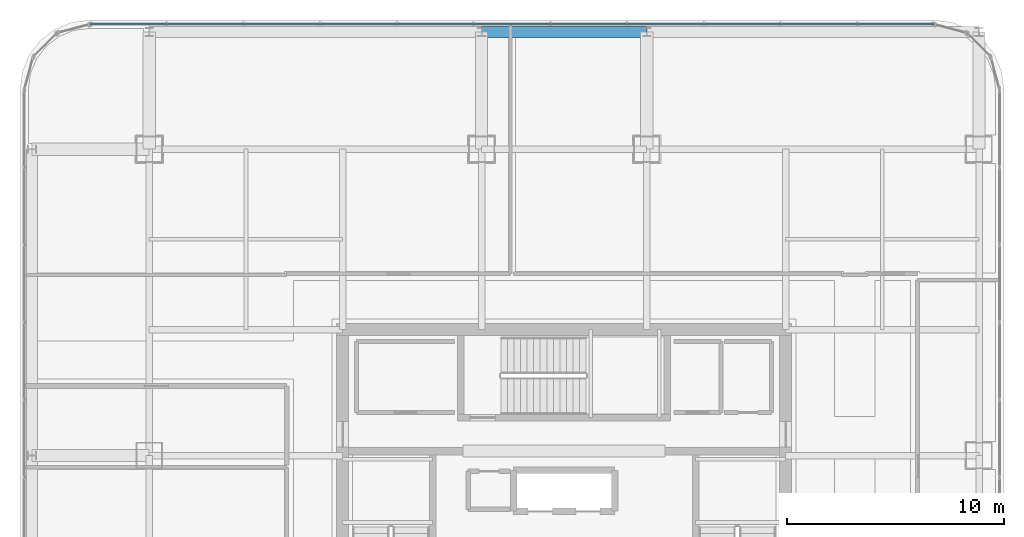
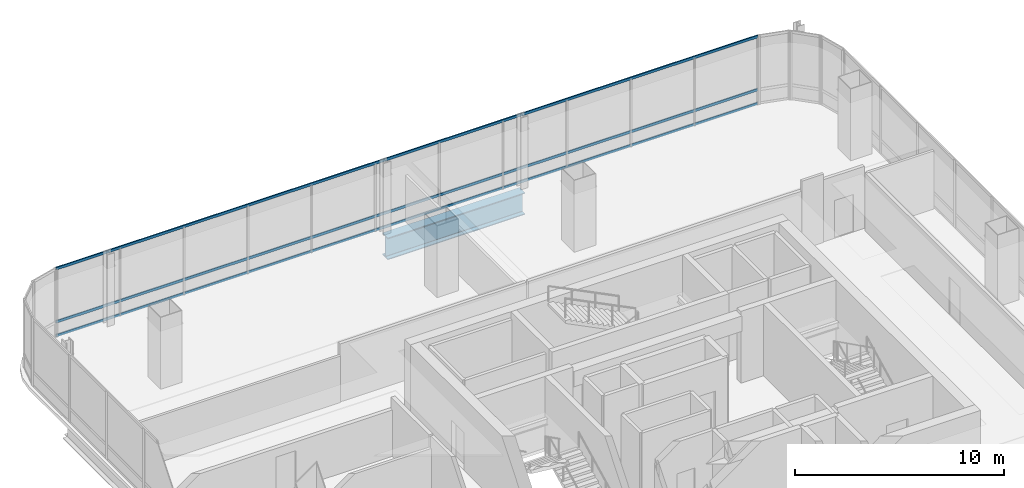
# One storey, part 26 of 41: 3 members, 1 beam, 1 element without a shape of its own.
"""IFC4 building model written with IfcOpenShell, lengths in metres."""

import ifcopenshell
import ifcopenshell.guid

model = None  # the IFC model being written
_history = None  # IfcOwnerHistory: only IFC2X3 demands one
_inside = {}  # id of a spatial element -> (the spatial element, [elements in it])
_under = {}  # id of a project, library or spatial element -> (it, [spatial elements below it])
_declared = {}  # id of a project -> (the project, [libraries it declares])
_typed = {}  # id of a type object -> (the type object, [elements of that type])
_made_of = {}  # id of a material, layer set ... -> (it, [elements and type objects made of it])


def new_model(schema):
    """Start an empty IFC model of exactly this schema.

    Asked for "IFC4X3", IfcOpenShell would pick the latest addendum, in which some entities
    have other attributes; the version numbers below select the first issue.
    IFC2X3 requires an IfcOwnerHistory on every rooted entity: one is made here for all.
    """
    global model, _history
    if schema == "IFC4X3":
        model = ifcopenshell.file(schema_version=(4, 3, 0, 0))
    else:
        model = ifcopenshell.file(schema=schema)
    _inside.clear()
    _under.clear()
    _declared.clear()
    _typed.clear()
    _made_of.clear()
    _history = None
    if model.schema == "IFC2X3":
        org = make("IfcOrganization", Name="unknown")
        user = make(
            "IfcPersonAndOrganization",
            ThePerson=make("IfcPerson", FamilyName="unknown"),
            TheOrganization=org,
        )
        app = make(
            "IfcApplication",
            ApplicationDeveloper=org,
            Version="unknown",
            ApplicationFullName="unknown",
            ApplicationIdentifier="unknown",
        )
        _history = make(
            "IfcOwnerHistory",
            OwningUser=user,
            OwningApplication=app,
            ChangeAction="ADDED",
            CreationDate=0,
        )
    return model


def make(cls, **values):
    """One entity of the class cls with the attributes given. An attribute that is None is left unset."""
    return model.create_entity(
        cls, **{name: value for name, value in values.items() if value is not None}
    )


def rooted(cls, **values):
    """An entity with a GlobalId (a new one), such as an element, a storey or a relation."""
    return make(cls, GlobalId=ifcopenshell.guid.new(), OwnerHistory=_history, **values)


def si_unit(unit_type, name, prefix=None):
    """IfcSIUnit, for example si_unit("LENGTHUNIT", "METRE", prefix="MILLI")."""
    return make("IfcSIUnit", UnitType=unit_type, Prefix=prefix, Name=name)


def assignment(units):
    """IfcUnitAssignment: the units of a project."""
    return None if units is None else make("IfcUnitAssignment", Units=units)


def point(xyz):
    """IfcCartesianPoint."""
    return None if xyz is None else make("IfcCartesianPoint", Coordinates=xyz)


def direction(xyz):
    """IfcDirection."""
    return None if xyz is None else make("IfcDirection", DirectionRatios=xyz)


def frame(location, z_axis=None, x_axis=None):
    """IfcAxis2Placement3D, a coordinate frame: its origin and axes. An axis left out is left unset."""
    return make(
        "IfcAxis2Placement3D",
        Location=point(location),
        Axis=direction(z_axis),
        RefDirection=direction(x_axis),
    )


def frame_2d(location, x_axis=None):
    """IfcAxis2Placement2D, a coordinate frame in the plane: its origin and x axis."""
    return make(
        "IfcAxis2Placement2D", Location=point(location), RefDirection=direction(x_axis)
    )


def origin():
    """The frame at (0, 0, 0) with its axes left unset."""
    return frame((0.0, 0.0, 0.0))


def origin_2d():
    """The frame at (0, 0) in the plane with its x axis left unset."""
    return frame_2d((0.0, 0.0))


def place(relative_to, where):
    """IfcLocalPlacement: puts the frame where relative to a parent placement (None: the world)."""
    return make(
        "IfcLocalPlacement", PlacementRelTo=relative_to, RelativePlacement=where
    )


def context(
    kind, dimensions, precision=None, world=None, true_north=None, identifier=None
):
    """IfcGeometricRepresentationContext, for example the 3D "Model" context."""
    return make(
        "IfcGeometricRepresentationContext",
        ContextIdentifier=identifier,
        ContextType=kind,
        CoordinateSpaceDimension=dimensions,
        Precision=precision,
        WorldCoordinateSystem=world,
        TrueNorth=true_north,
    )


def subcontext(parent, identifier, kind, view, scale=None):
    """IfcGeometricRepresentationSubContext, for example "Body" below "Model"."""
    return make(
        "IfcGeometricRepresentationSubContext",
        ContextIdentifier=identifier,
        ContextType=kind,
        ParentContext=parent,
        TargetScale=scale,
        TargetView=view,
    )


def project(units=None, contexts=None):
    """IfcProject with its units and contexts."""
    return rooted(
        "IfcProject",
        Name="project",
        RepresentationContexts=contexts,
        UnitsInContext=assignment(units),
    )


def spatial(cls, under=None, at=None, **own):
    """A site, building, storey or space (cls), placed at a placement, below another one or the project."""
    s = rooted(cls, ObjectPlacement=at, **own)
    if under is not None:
        _under.setdefault(under.id(), (under, []))[1].append(s)
    return s


def profile(cls, at=None, kind="AREA", **sizes):
    """A parametric profile (cls). Its sizes go by their IFC names, for example OverallWidth=200.0."""
    return make(cls, ProfileType=kind, Position=at, **sizes)


def hollow_rectangle(**sizes):
    """IfcRectangleHollowProfileDef."""
    return profile("IfcRectangleHollowProfileDef", **sizes)


def i_section(**sizes):
    """IfcIShapeProfileDef."""
    return profile("IfcIShapeProfileDef", **sizes)


def extrude(swept, where, along, depth):
    """IfcExtrudedAreaSolid: the profile swept, set in the frame where, extruded along a direction by depth."""
    return make(
        "IfcExtrudedAreaSolid",
        SweptArea=swept,
        Position=where,
        ExtrudedDirection=direction(along),
        Depth=depth,
    )


def shape(context_of_items, identifier, shape_type, items):
    """IfcShapeRepresentation: the items that make up one representation, for example the "Body"."""
    return make(
        "IfcShapeRepresentation",
        ContextOfItems=context_of_items,
        RepresentationIdentifier=identifier,
        RepresentationType=shape_type,
        Items=items,
    )


def material(Name=None, Category=None):
    """IfcMaterial."""
    return make("IfcMaterial", Name=Name, Category=Category)


def material_profile(
    of_material, cross_section, Name=None, Category=None, Priority=None
):
    """IfcMaterialProfile: a cross section and its material."""
    return make(
        "IfcMaterialProfile",
        Name=Name,
        Material=of_material,
        Profile=cross_section,
        Priority=Priority,
        Category=Category,
    )


def profile_set(profiles, Name=None, composite=None):
    """IfcMaterialProfileSet."""
    return make(
        "IfcMaterialProfileSet",
        Name=Name,
        MaterialProfiles=profiles,
        CompositeProfile=composite,
    )


def made_of(thing, what):
    """Note that an element or type object is made of a material, layer set ...; save() writes the relation."""
    if what is not None:
        _made_of.setdefault(what.id(), (what, []))[1].append(thing)
    return thing


def type_object(cls, material=None, **own):
    """A type object (cls), such as IfcWallType, which elements share."""
    return made_of(rooted(cls, **own), material)


def element(
    cls,
    number,
    at=None,
    inside=None,
    cuts=None,
    type_object=None,
    material=None,
    context=None,
    identifier="Body",
    shape_type=None,
    held_by="IfcProductDefinitionShape",
    body=None,
    shapes=None,
    **own,
):
    """One element of the class cls, such as IfcWall. Its Tag is "e" and its number.

    at: its placement. inside: the storey or other place that contains it. cuts: it is an
    opening in that element (IfcRelVoidsElement). A single representation is given by context,
    identifier, shape_type and body (its items); several are given by shapes. held_by: the class
    of the entity that holds the representations. save() writes the other relations.
    """
    e = rooted(cls, Tag="e%d" % number, ObjectPlacement=at, **own)
    if body is not None:
        shapes = [shape(context, identifier, shape_type, body)]
    if shapes is not None:
        e.Representation = make(held_by, Representations=shapes)
    if inside is not None:
        _inside.setdefault(inside.id(), (inside, []))[1].append(e)
    if cuts is not None:
        rooted(
            "IfcRelVoidsElement", RelatingBuildingElement=cuts, RelatedOpeningElement=e
        )
    if type_object is not None:
        _typed.setdefault(type_object.id(), (type_object, []))[1].append(e)
    return made_of(e, material)


def aggregate(whole, parts):
    """IfcRelAggregates: a whole, such as a stair, and the parts it consists of."""
    return rooted("IfcRelAggregates", RelatingObject=whole, RelatedObjects=parts)


def save(model, path):
    """Write the relations noted so far, then the file.

    IfcRelAggregates (storeys below a building ...), IfcRelContainedInSpatialStructure (elements
    in a storey), IfcRelDefinesByType, IfcRelAssociatesMaterial and IfcRelDeclares: one each for
    every whole, place, type object, material and project.
    """
    for whole, parts in _under.values():
        aggregate(whole, parts)
    for where, things in _inside.values():
        rooted(
            "IfcRelContainedInSpatialStructure",
            RelatedElements=things,
            RelatingStructure=where,
        )
    for kind, things in _typed.values():
        rooted("IfcRelDefinesByType", RelatedObjects=things, RelatingType=kind)
    for what, things in _made_of.values():
        rooted("IfcRelAssociatesMaterial", RelatedObjects=things, RelatingMaterial=what)
    for by, libraries in _declared.values():
        rooted("IfcRelDeclares", RelatingContext=by, RelatedDefinitions=libraries)
    model.write(path)


model = new_model("IFC4")

# Units and contexts
model_context = context("Model", 3, precision=1e-05, world=origin(), true_north=direction((0.0, 1.0)))
body_context = subcontext(model_context, "Body", "Model", "MODEL_VIEW")
ifc_project = project(units=[si_unit("LENGTHUNIT", "METRE"), si_unit("AREAUNIT", "SQUARE_METRE"), si_unit("VOLUMEUNIT", "CUBIC_METRE"), si_unit("PLANEANGLEUNIT", "RADIAN"), si_unit("MASSUNIT", "GRAM", prefix="KILO")], contexts=[model_context])

# Site, building, storey
site_placement = place(None, origin())
site = spatial("IfcSite", under=ifc_project, at=site_placement, CompositionType="ELEMENT")
building_placement = place(site_placement, origin())
building = spatial("IfcBuilding", under=site, at=building_placement, Name="Punatoya Terracotta Tower", CompositionType="ELEMENT")
storey_placement = place(building_placement, frame((0.0, 0.0, 309.0)))
storey = spatial("IfcBuildingStorey", under=building, at=storey_placement, Name="L73", CompositionType="ELEMENT", Elevation=309.0)

# Beam
ifc_material_1 = material(Name="Steel S460", Category="steel")
ifc_material_profile_1 = material_profile(ifc_material_1, i_section(OverallWidth=0.52001953125, OverallDepth=1.280029296875, WebThickness=0.031982421875, FlangeThickness=0.050048828125, FilletRadius=0.01806640625, at=origin_2d()))
ifc_profile_set_1 = profile_set([ifc_material_profile_1], Name="Steel S460")
beam_type = type_object("IfcBeamType", Name="BM-TG-NCK", PredefinedType="BEAM", material=ifc_profile_set_1)
beam_placement = place(storey_placement, frame((-3.800048828125, 22.89990234375, -0.840087890625), z_axis=(1.0, 0.0, 0.0), x_axis=(0.0, 1.0, 0.0)))
element("IfcBeam", 1, at=beam_placement, inside=storey, type_object=beam_type, Name="BM-L73-PER-N2", PredefinedType="BEAM", context=body_context, shape_type="SweptSolid", body=[
    extrude(i_section(OverallWidth=0.52001953125, OverallDepth=1.280029296875, WebThickness=0.031982421875, FlangeThickness=0.050048828125, FilletRadius=0.01806640625, at=origin_2d()), origin(), (0.0, 0.0, 1.0), 7.60009765625),
])

# Curtain wall, members
ifc_material_2 = material(Name="Aluminium 6063-T6 + Double Low-E Glass", Category="aluminium")
curtain_wall_type = type_object("IfcCurtainWallType", Name="CW-M3", PredefinedType="NOTDEFINED", material=ifc_material_2)
curtain_wall_placement = place(storey_placement, origin())
curtain_wall = element("IfcCurtainWall", 2, at=curtain_wall_placement, inside=storey, type_object=curtain_wall_type, Name="L73 Curtain Wall CW-L73-N09-1", PredefinedType="NOTDEFINED")
ifc_material_3 = material(Name="Aluminium 6063-T6", Category="aluminium")
ifc_material_profile_2 = material_profile(ifc_material_3, hollow_rectangle(XDim=0.068115234375, YDim=0.14990234375, WallThickness=0.00390625, at=origin_2d()))
ifc_profile_set_2 = profile_set([ifc_material_profile_2], Name="Aluminium 6063-T6")
member_type = type_object("IfcMemberType", Name="CW-TRN-TYP", PredefinedType="USERDEFINED", material=ifc_profile_set_2)
member_1_placement = place(storey_placement, frame((17.036865234375, 23.25, 0.0400390625), z_axis=(-1.0, 0.0, 0.0), x_axis=(0.0, -1.0, 0.0)))
member_1 = element("IfcMember", 3, at=member_1_placement, type_object=member_type, Name="CW-L73-N09-1 Transom 1", ObjectType="TRANSOM", PredefinedType="USERDEFINED", context=body_context, shape_type="SweptSolid", body=[
    extrude(hollow_rectangle(XDim=0.068115234375, YDim=0.14990234375, WallThickness=0.00390625, at=origin_2d()), origin(), (0.0, 0.0, 1.0), 38.873779296875),
])
member_2_placement = place(storey_placement, frame((17.036865234375, 23.25, 0.85009765625), z_axis=(-1.0, 0.0, 0.0), x_axis=(0.0, -1.0, 0.0)))
member_2 = element("IfcMember", 4, at=member_2_placement, type_object=member_type, Name="CW-L73-N09-1 Transom 2", ObjectType="TRANSOM", PredefinedType="USERDEFINED", context=body_context, shape_type="SweptSolid", body=[
    extrude(hollow_rectangle(XDim=0.068115234375, YDim=0.14990234375, WallThickness=0.00390625, at=origin_2d()), origin(), (0.0, 0.0, 1.0), 38.873779296875),
])
member_3_placement = place(storey_placement, frame((17.036865234375, 23.25, 3.9599609375), z_axis=(-1.0, 0.0, 0.0), x_axis=(0.0, -1.0, 0.0)))
member_3 = element("IfcMember", 5, at=member_3_placement, type_object=member_type, Name="CW-L73-N09-1 Transom 3", ObjectType="TRANSOM", PredefinedType="USERDEFINED", context=body_context, shape_type="SweptSolid", body=[
    extrude(hollow_rectangle(XDim=0.068115234375, YDim=0.14990234375, WallThickness=0.00390625, at=origin_2d()), origin(), (0.0, 0.0, 1.0), 38.873779296875),
])
aggregate(curtain_wall, [member_1, member_2, member_3])

save(model, "model.ifc")
